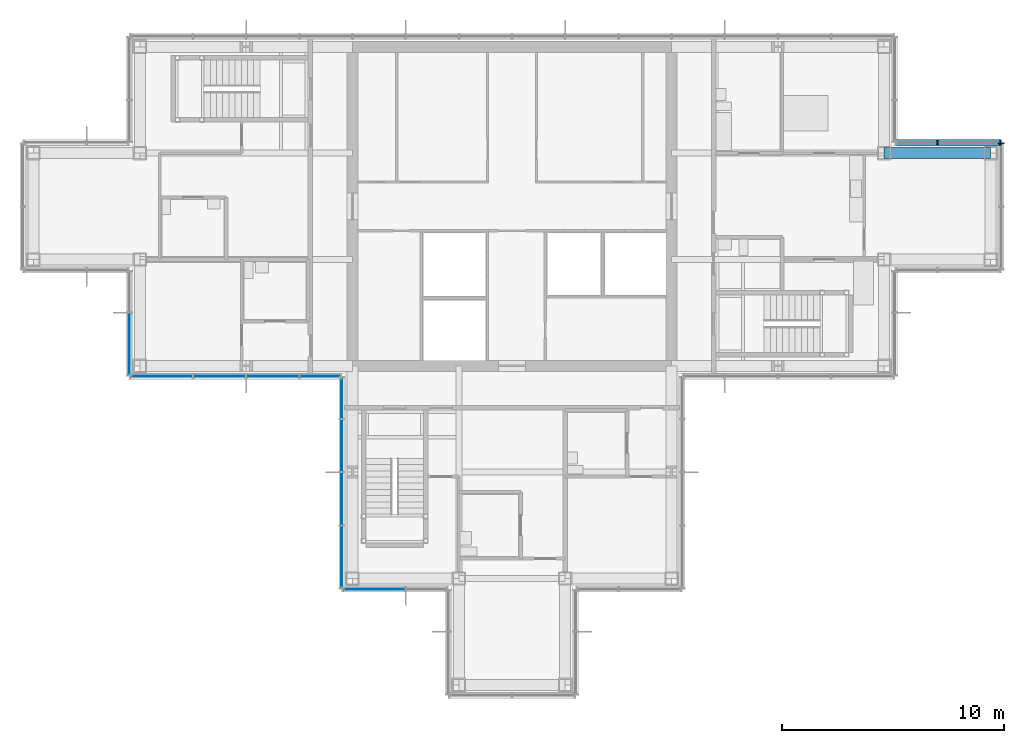
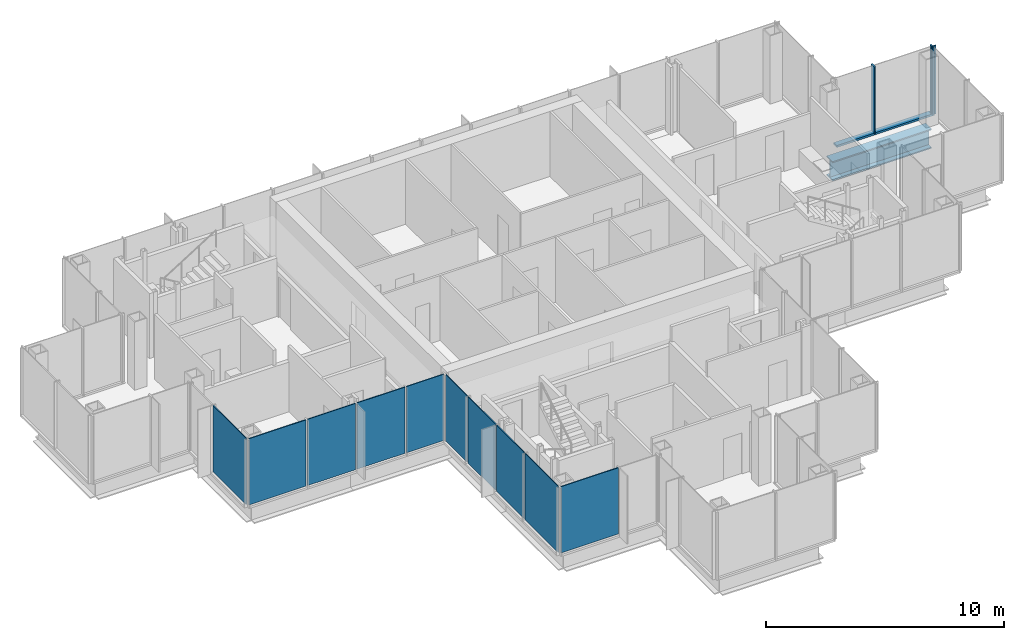
# One storey, part 8 of 15: 10 plates, 5 members, 1 beam, 6 elements without a shape of their own.
"""IFC4 building model written with IfcOpenShell, lengths in metres."""

from ifc_helpers import new_model, si_unit, direction, frame, origin, origin_2d, place, context, subcontext, project, spatial, rectangle, i_section, extrude, material, layer, layer_set, material_profile, profile_set, type_object, element, aggregate, save


model = new_model("IFC4")

# Units and contexts
model_context = context("Model", 3, precision=1e-05, world=origin(), true_north=direction((0.0, 1.0)))
body_context = subcontext(model_context, "Body", "Model", "MODEL_VIEW")
ifc_project = project(units=[si_unit("LENGTHUNIT", "METRE"), si_unit("AREAUNIT", "SQUARE_METRE"), si_unit("VOLUMEUNIT", "CUBIC_METRE"), si_unit("PLANEANGLEUNIT", "RADIAN"), si_unit("MASSUNIT", "GRAM", prefix="KILO")], contexts=[model_context])

# Site, building, storey
site_placement = place(None, origin())
site = spatial("IfcSite", under=ifc_project, at=site_placement, CompositionType="ELEMENT")
building_placement = place(site_placement, origin())
building = spatial("IfcBuilding", under=site, at=building_placement, Name="Kvirike Care Tower", CompositionType="ELEMENT")
storey_placement = place(building_placement, frame((0.0, 0.0, 226.0)))
storey = spatial("IfcBuildingStorey", under=building, at=storey_placement, Name="L62", CompositionType="ELEMENT", Elevation=226.0)

# Curtain wall, member
ifc_material_1 = material(Name="Anodised aluminium stick system", Category="aluminium")
curtain_wall_type = type_object("IfcCurtainWallType", Name="CW-D STICK CURTAIN WALL", PredefinedType="NOTDEFINED", material=ifc_material_1)
curtain_wall_1_placement = place(storey_placement, origin())
curtain_wall_1 = element("IfcCurtainWall", 1, at=curtain_wall_1_placement, inside=storey, type_object=curtain_wall_type, Name="Curtain wall L62 face 4", PredefinedType="NOTDEFINED")
ifc_material_2 = material(Name="Bronze anodised aluminium mullion", Category="aluminium")
ifc_material_profile_1 = material_profile(ifc_material_2, rectangle(XDim=0.06494140625, YDim=0.260009765625, at=origin_2d()), Name="CW-D MULLION 65x260")
ifc_profile_set_1 = profile_set([ifc_material_profile_1], Name="Bronze anodised aluminium mullion")
member_type_1 = type_object("IfcMemberType", Name="CW-D MULLION 65x260", PredefinedType="MULLION", material=ifc_profile_set_1)
member_1_placement = place(storey_placement, frame((43.679931640625, 38.847412109375, 0.0), z_axis=(0.0, 0.0, 1.0), x_axis=(0.0, 1.0, 0.0)))
member_1 = element("IfcMember", 2, at=member_1_placement, type_object=member_type_1, Name="CW-D mullion L62 face 4.3", PredefinedType="MULLION", context=body_context, shape_type="SweptSolid", body=[
    extrude(rectangle(XDim=0.06494140625, YDim=0.260009765625, at=origin_2d()), origin(), (0.0, 0.0, 1.0), 3.5),
])
aggregate(curtain_wall_1, [member_1])

# Curtain wall, members
curtain_wall_2_placement = place(storey_placement, origin())
curtain_wall_2 = element("IfcCurtainWall", 3, at=curtain_wall_2_placement, inside=storey, type_object=curtain_wall_type, Name="Curtain wall L62 face 5", PredefinedType="NOTDEFINED")
member_2_placement = place(storey_placement, frame((43.6474609375, 38.8798828125, 0.0), z_axis=(0.0, 0.0, 1.0), x_axis=(-1.0, 0.0, 0.0)))
member_2 = element("IfcMember", 4, at=member_2_placement, type_object=member_type_1, Name="CW-D mullion L62 face 5.1", PredefinedType="MULLION", context=body_context, shape_type="SweptSolid", body=[
    extrude(rectangle(XDim=0.06494140625, YDim=0.260009765625, at=origin_2d()), origin(), (0.0, 0.0, 1.0), 3.5),
])
member_3_placement = place(storey_placement, frame((40.800048828125, 38.8798828125, 0.0), z_axis=(0.0, 0.0, 1.0), x_axis=(-1.0, 0.0, 0.0)))
member_3 = element("IfcMember", 5, at=member_3_placement, type_object=member_type_1, Name="CW-D mullion L62 face 5.2", PredefinedType="MULLION", context=body_context, shape_type="SweptSolid", body=[
    extrude(rectangle(XDim=0.06494140625, YDim=0.260009765625, at=origin_2d()), origin(), (0.0, 0.0, 1.0), 3.5),
])
ifc_material_3 = material(Name="Bronze anodised aluminium transom", Category="aluminium")
ifc_material_profile_2 = material_profile(ifc_material_3, rectangle(XDim=0.260009765625, YDim=0.10009765625, at=origin_2d()), Name="CW-D TRANSOM 260x100")
ifc_profile_set_2 = profile_set([ifc_material_profile_2], Name="Bronze anodised aluminium transom")
member_type_2 = type_object("IfcMemberType", Name="CW-D TRANSOM 260x100", PredefinedType="USERDEFINED", material=ifc_profile_set_2)
member_4_placement = place(storey_placement, frame((43.614990234375, 38.8798828125, 0.050048828125), z_axis=(-1.0, 0.0, 0.0), x_axis=(0.0, -1.0, 0.0)))
member_4 = element("IfcMember", 6, at=member_4_placement, type_object=member_type_2, Name="CW-D sill transom L62 face 5.1", ObjectType="TRANSOM", PredefinedType="USERDEFINED", context=body_context, shape_type="SweptSolid", body=[
    extrude(rectangle(XDim=0.260009765625, YDim=0.10009765625, at=origin_2d()), origin(), (0.0, 0.0, 1.0), 2.782470703125),
])
member_5_placement = place(storey_placement, frame((40.767578125, 38.8798828125, 0.050048828125), z_axis=(-1.0, 0.0, 0.0), x_axis=(0.0, -1.0, 0.0)))
member_5 = element("IfcMember", 7, at=member_5_placement, type_object=member_type_2, Name="CW-D sill transom L62 face 5.2", ObjectType="TRANSOM", PredefinedType="USERDEFINED", context=body_context, shape_type="SweptSolid", body=[
    extrude(rectangle(XDim=0.260009765625, YDim=0.10009765625, at=origin_2d()), origin(), (0.0, 0.0, 1.0), 1.822509765625),
])
aggregate(curtain_wall_2, [member_2, member_3, member_4, member_5])

# Beam
ifc_material_4 = material(Name="Steel S355", Category="steel")
ifc_material_profile_3 = material_profile(ifc_material_4, i_section(OverallWidth=0.5, OverallDepth=1.0, WebThickness=0.030029296875, FlangeThickness=0.06005859375, at=origin_2d()), Name="PG 1000x500x30x60")
ifc_profile_set_3 = profile_set([ifc_material_profile_3], Name="Steel S355")
beam_type = type_object("IfcBeamType", Name="SPANDREL PG 1000x500x30x60", PredefinedType="SPANDREL", material=ifc_profile_set_3)
beam_placement = place(storey_placement, frame((38.39990234375, 38.39990234375, -0.669921875), z_axis=(1.0, 0.0, 0.0), x_axis=(0.0, 1.0, 0.0)))
element("IfcBeam", 8, at=beam_placement, inside=storey, type_object=beam_type, Name="Spandrel J11-J12 L62", PredefinedType="SPANDREL", context=body_context, shape_type="SweptSolid", body=[
    extrude(i_section(OverallWidth=0.5, OverallDepth=1.0, WebThickness=0.030029296875, FlangeThickness=0.06005859375, at=origin_2d()), origin(), (0.0, 0.0, 1.0), 4.800048828125),
])

# Curtain wall, plate
curtain_wall_3_placement = place(storey_placement, origin())
curtain_wall_3 = element("IfcCurtainWall", 9, at=curtain_wall_3_placement, inside=storey, type_object=curtain_wall_type, Name="Curtain wall L62 face 12", PredefinedType="NOTDEFINED")
ifc_material_5 = material(Name="Tinted double glazed unit", Category="glass")
ifc_layer = layer(ifc_material_5, 0.0439453125)
ifc_layer_set = layer_set([ifc_layer], Name="TINTED VISION PANEL 44")
plate_type = type_object("IfcPlateType", Name="TINTED VISION PANEL 44", PredefinedType="CURTAIN_PANEL", material=ifc_layer_set)
plate_1_placement = place(storey_placement, frame((4.320068359375, 29.7763671875, 0.10009765625), z_axis=(0.0, 0.0, 1.0), x_axis=(0.0, -1.0, 0.0)))
plate_1 = element("IfcPlate", 10, at=plate_1_placement, type_object=plate_type, Name="CW-D panel L62 face 12.2", PredefinedType="CURTAIN_PANEL", context=body_context, shape_type="SweptSolid", body=[
    extrude(rectangle(XDim=2.782470703125, YDim=0.0439453125, at=origin_2d()), origin(), (0.0, 0.0, 1.0), 3.39990234375),
])
aggregate(curtain_wall_3, [plate_1])

# Curtain wall, plates
curtain_wall_4_placement = place(storey_placement, origin())
curtain_wall_4 = element("IfcCurtainWall", 11, at=curtain_wall_4_placement, inside=storey, type_object=curtain_wall_type, Name="Curtain wall L62 face 13", PredefinedType="NOTDEFINED")
plate_2_placement = place(storey_placement, frame((5.7763671875, 28.320068359375, 0.10009765625), z_axis=(0.0, 0.0, 1.0), x_axis=(1.0, 0.0, 0.0)))
plate_2 = element("IfcPlate", 12, at=plate_2_placement, type_object=plate_type, Name="CW-D panel L62 face 13.1", PredefinedType="CURTAIN_PANEL", context=body_context, shape_type="SweptSolid", body=[
    extrude(rectangle(XDim=2.782470703125, YDim=0.0439453125, at=origin_2d()), origin(), (0.0, 0.0, 1.0), 3.39990234375),
])
plate_3_placement = place(storey_placement, frame((8.39990234375, 28.320068359375, 0.10009765625), z_axis=(0.0, 0.0, 1.0), x_axis=(1.0, 0.0, 0.0)))
plate_3 = element("IfcPlate", 13, at=plate_3_placement, type_object=plate_type, Name="CW-D panel L62 face 13.2", PredefinedType="CURTAIN_PANEL", context=body_context, shape_type="SweptSolid", body=[
    extrude(rectangle(XDim=2.3349609375, YDim=0.0439453125, at=origin_2d()), origin(), (0.0, 0.0, 1.0), 3.39990234375),
])
plate_4_placement = place(storey_placement, frame((10.800048828125, 28.320068359375, 0.10009765625), z_axis=(0.0, 0.0, 1.0), x_axis=(1.0, 0.0, 0.0)))
plate_4 = element("IfcPlate", 14, at=plate_4_placement, type_object=plate_type, Name="CW-D panel L62 face 13.3", PredefinedType="CURTAIN_PANEL", context=body_context, shape_type="SweptSolid", body=[
    extrude(rectangle(XDim=2.3349609375, YDim=0.0439453125, at=origin_2d()), origin(), (0.0, 0.0, 1.0), 3.39990234375),
])
plate_5_placement = place(storey_placement, frame((12.94384765625, 28.320068359375, 0.10009765625), z_axis=(0.0, 0.0, 1.0), x_axis=(1.0, 0.0, 0.0)))
plate_5 = element("IfcPlate", 15, at=plate_5_placement, type_object=plate_type, Name="CW-D panel L62 face 13.4", PredefinedType="CURTAIN_PANEL", context=body_context, shape_type="SweptSolid", body=[
    extrude(rectangle(XDim=1.822509765625, YDim=0.0439453125, at=origin_2d()), origin(), (0.0, 0.0, 1.0), 3.39990234375),
])
aggregate(curtain_wall_4, [plate_2, plate_3, plate_4, plate_5])

curtain_wall_5_placement = place(storey_placement, origin())
curtain_wall_5 = element("IfcCurtainWall", 16, at=curtain_wall_5_placement, inside=storey, type_object=curtain_wall_type, Name="Curtain wall L62 face 14", PredefinedType="NOTDEFINED")
plate_6_placement = place(storey_placement, frame((13.919921875, 27.34375, 0.10009765625), z_axis=(0.0, 0.0, 1.0), x_axis=(0.0, -1.0, 0.0)))
plate_6 = element("IfcPlate", 17, at=plate_6_placement, type_object=plate_type, Name="CW-D panel L62 face 14.1", PredefinedType="CURTAIN_PANEL", context=body_context, shape_type="SweptSolid", body=[
    extrude(rectangle(XDim=1.822509765625, YDim=0.0439453125, at=origin_2d()), origin(), (0.0, 0.0, 1.0), 3.39990234375),
])
plate_7_placement = place(storey_placement, frame((13.919921875, 25.199951171875, 0.10009765625), z_axis=(0.0, 0.0, 1.0), x_axis=(0.0, -1.0, 0.0)))
plate_7 = element("IfcPlate", 18, at=plate_7_placement, type_object=plate_type, Name="CW-D panel L62 face 14.2", PredefinedType="CURTAIN_PANEL", context=body_context, shape_type="SweptSolid", body=[
    extrude(rectangle(XDim=2.3349609375, YDim=0.0439453125, at=origin_2d()), origin(), (0.0, 0.0, 1.0), 3.39990234375),
])
plate_8_placement = place(storey_placement, frame((13.919921875, 22.800048828125, 0.10009765625), z_axis=(0.0, 0.0, 1.0), x_axis=(0.0, -1.0, 0.0)))
plate_8 = element("IfcPlate", 19, at=plate_8_placement, type_object=plate_type, Name="CW-D panel L62 face 14.3", PredefinedType="CURTAIN_PANEL", context=body_context, shape_type="SweptSolid", body=[
    extrude(rectangle(XDim=2.3349609375, YDim=0.0439453125, at=origin_2d()), origin(), (0.0, 0.0, 1.0), 3.39990234375),
])
plate_9_placement = place(storey_placement, frame((13.919921875, 20.17626953125, 0.10009765625), z_axis=(0.0, 0.0, 1.0), x_axis=(0.0, -1.0, 0.0)))
plate_9 = element("IfcPlate", 20, at=plate_9_placement, type_object=plate_type, Name="CW-D panel L62 face 14.4", PredefinedType="CURTAIN_PANEL", context=body_context, shape_type="SweptSolid", body=[
    extrude(rectangle(XDim=2.782470703125, YDim=0.0439453125, at=origin_2d()), origin(), (0.0, 0.0, 1.0), 3.39990234375),
])
aggregate(curtain_wall_5, [plate_6, plate_7, plate_8, plate_9])

# Curtain wall, plate
curtain_wall_6_placement = place(storey_placement, origin())
curtain_wall_6 = element("IfcCurtainWall", 21, at=curtain_wall_6_placement, inside=storey, type_object=curtain_wall_type, Name="Curtain wall L62 face 15", PredefinedType="NOTDEFINED")
plate_10_placement = place(storey_placement, frame((15.376220703125, 18.719970703125, 0.10009765625), z_axis=(0.0, 0.0, 1.0), x_axis=(1.0, 0.0, 0.0)))
plate_10 = element("IfcPlate", 22, at=plate_10_placement, type_object=plate_type, Name="CW-D panel L62 face 15.1", PredefinedType="CURTAIN_PANEL", context=body_context, shape_type="SweptSolid", body=[
    extrude(rectangle(XDim=2.782470703125, YDim=0.0439453125, at=origin_2d()), origin(), (0.0, 0.0, 1.0), 3.39990234375),
])
aggregate(curtain_wall_6, [plate_10])

save(model, "model.ifc")
